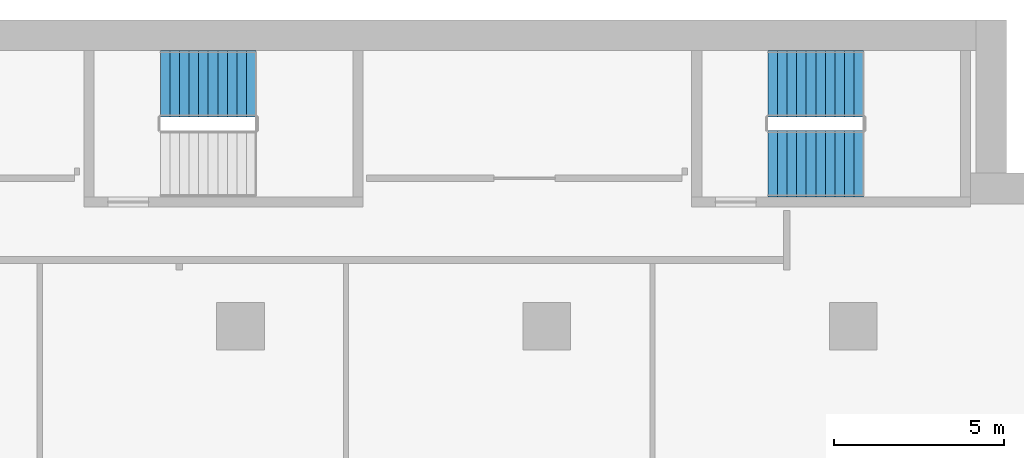
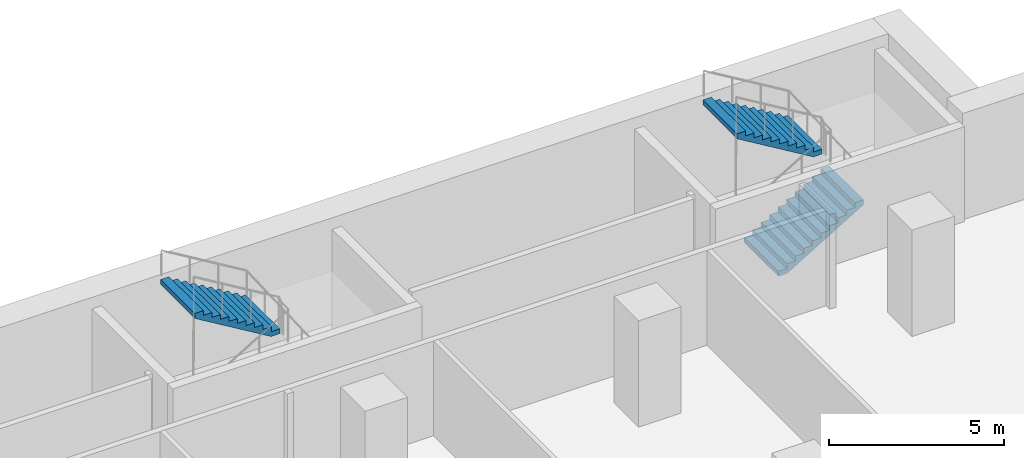
# One storey, part 23 of 29: 3 stair flights, 2 elements without a shape of their own.
"""IFC4 building model written with IfcOpenShell, lengths in metres."""

import ifcopenshell
import ifcopenshell.guid

model = None  # the IFC model being written
_history = None  # IfcOwnerHistory: only IFC2X3 demands one
_inside = {}  # id of a spatial element -> (the spatial element, [elements in it])
_under = {}  # id of a project, library or spatial element -> (it, [spatial elements below it])
_declared = {}  # id of a project -> (the project, [libraries it declares])
_typed = {}  # id of a type object -> (the type object, [elements of that type])
_made_of = {}  # id of a material, layer set ... -> (it, [elements and type objects made of it])


def new_model(schema):
    """Start an empty IFC model of exactly this schema.

    Asked for "IFC4X3", IfcOpenShell would pick the latest addendum, in which some entities
    have other attributes; the version numbers below select the first issue.
    IFC2X3 requires an IfcOwnerHistory on every rooted entity: one is made here for all.
    """
    global model, _history
    if schema == "IFC4X3":
        model = ifcopenshell.file(schema_version=(4, 3, 0, 0))
    else:
        model = ifcopenshell.file(schema=schema)
    _inside.clear()
    _under.clear()
    _declared.clear()
    _typed.clear()
    _made_of.clear()
    _history = None
    if model.schema == "IFC2X3":
        org = make("IfcOrganization", Name="unknown")
        user = make(
            "IfcPersonAndOrganization",
            ThePerson=make("IfcPerson", FamilyName="unknown"),
            TheOrganization=org,
        )
        app = make(
            "IfcApplication",
            ApplicationDeveloper=org,
            Version="unknown",
            ApplicationFullName="unknown",
            ApplicationIdentifier="unknown",
        )
        _history = make(
            "IfcOwnerHistory",
            OwningUser=user,
            OwningApplication=app,
            ChangeAction="ADDED",
            CreationDate=0,
        )
    return model


def make(cls, **values):
    """One entity of the class cls with the attributes given. An attribute that is None is left unset."""
    return model.create_entity(
        cls, **{name: value for name, value in values.items() if value is not None}
    )


def rooted(cls, **values):
    """An entity with a GlobalId (a new one), such as an element, a storey or a relation."""
    return make(cls, GlobalId=ifcopenshell.guid.new(), OwnerHistory=_history, **values)


def si_unit(unit_type, name, prefix=None):
    """IfcSIUnit, for example si_unit("LENGTHUNIT", "METRE", prefix="MILLI")."""
    return make("IfcSIUnit", UnitType=unit_type, Prefix=prefix, Name=name)


def assignment(units):
    """IfcUnitAssignment: the units of a project."""
    return None if units is None else make("IfcUnitAssignment", Units=units)


def point(xyz):
    """IfcCartesianPoint."""
    return None if xyz is None else make("IfcCartesianPoint", Coordinates=xyz)


def direction(xyz):
    """IfcDirection."""
    return None if xyz is None else make("IfcDirection", DirectionRatios=xyz)


def frame(location, z_axis=None, x_axis=None):
    """IfcAxis2Placement3D, a coordinate frame: its origin and axes. An axis left out is left unset."""
    return make(
        "IfcAxis2Placement3D",
        Location=point(location),
        Axis=direction(z_axis),
        RefDirection=direction(x_axis),
    )


def origin():
    """The frame at (0, 0, 0) with its axes left unset."""
    return frame((0.0, 0.0, 0.0))


def place(relative_to, where):
    """IfcLocalPlacement: puts the frame where relative to a parent placement (None: the world)."""
    return make(
        "IfcLocalPlacement", PlacementRelTo=relative_to, RelativePlacement=where
    )


def context(
    kind, dimensions, precision=None, world=None, true_north=None, identifier=None
):
    """IfcGeometricRepresentationContext, for example the 3D "Model" context."""
    return make(
        "IfcGeometricRepresentationContext",
        ContextIdentifier=identifier,
        ContextType=kind,
        CoordinateSpaceDimension=dimensions,
        Precision=precision,
        WorldCoordinateSystem=world,
        TrueNorth=true_north,
    )


def subcontext(parent, identifier, kind, view, scale=None):
    """IfcGeometricRepresentationSubContext, for example "Body" below "Model"."""
    return make(
        "IfcGeometricRepresentationSubContext",
        ContextIdentifier=identifier,
        ContextType=kind,
        ParentContext=parent,
        TargetScale=scale,
        TargetView=view,
    )


def project(units=None, contexts=None):
    """IfcProject with its units and contexts."""
    return rooted(
        "IfcProject",
        Name="project",
        RepresentationContexts=contexts,
        UnitsInContext=assignment(units),
    )


def spatial(cls, under=None, at=None, **own):
    """A site, building, storey or space (cls), placed at a placement, below another one or the project."""
    s = rooted(cls, ObjectPlacement=at, **own)
    if under is not None:
        _under.setdefault(under.id(), (under, []))[1].append(s)
    return s


def polyline(points):
    """IfcPolyline through the points."""
    return make("IfcPolyline", Points=[point(p) for p in points])


def outline(outer, holes=None, kind="AREA"):
    """IfcArbitraryClosedProfileDef: a profile drawn as a closed curve; with holes, ...WithVoids."""
    if holes is None:
        return make("IfcArbitraryClosedProfileDef", ProfileType=kind, OuterCurve=outer)
    return make(
        "IfcArbitraryProfileDefWithVoids",
        ProfileType=kind,
        OuterCurve=outer,
        InnerCurves=holes,
    )


def extrude(swept, where, along, depth):
    """IfcExtrudedAreaSolid: the profile swept, set in the frame where, extruded along a direction by depth."""
    return make(
        "IfcExtrudedAreaSolid",
        SweptArea=swept,
        Position=where,
        ExtrudedDirection=direction(along),
        Depth=depth,
    )


def shape(context_of_items, identifier, shape_type, items):
    """IfcShapeRepresentation: the items that make up one representation, for example the "Body"."""
    return make(
        "IfcShapeRepresentation",
        ContextOfItems=context_of_items,
        RepresentationIdentifier=identifier,
        RepresentationType=shape_type,
        Items=items,
    )


def material(Name=None, Category=None):
    """IfcMaterial."""
    return make("IfcMaterial", Name=Name, Category=Category)


def made_of(thing, what):
    """Note that an element or type object is made of a material, layer set ...; save() writes the relation."""
    if what is not None:
        _made_of.setdefault(what.id(), (what, []))[1].append(thing)
    return thing


def type_object(cls, material=None, **own):
    """A type object (cls), such as IfcWallType, which elements share."""
    return made_of(rooted(cls, **own), material)


def element(
    cls,
    number,
    at=None,
    inside=None,
    cuts=None,
    type_object=None,
    material=None,
    context=None,
    identifier="Body",
    shape_type=None,
    held_by="IfcProductDefinitionShape",
    body=None,
    shapes=None,
    **own,
):
    """One element of the class cls, such as IfcWall. Its Tag is "e" and its number.

    at: its placement. inside: the storey or other place that contains it. cuts: it is an
    opening in that element (IfcRelVoidsElement). A single representation is given by context,
    identifier, shape_type and body (its items); several are given by shapes. held_by: the class
    of the entity that holds the representations. save() writes the other relations.
    """
    e = rooted(cls, Tag="e%d" % number, ObjectPlacement=at, **own)
    if body is not None:
        shapes = [shape(context, identifier, shape_type, body)]
    if shapes is not None:
        e.Representation = make(held_by, Representations=shapes)
    if inside is not None:
        _inside.setdefault(inside.id(), (inside, []))[1].append(e)
    if cuts is not None:
        rooted(
            "IfcRelVoidsElement", RelatingBuildingElement=cuts, RelatedOpeningElement=e
        )
    if type_object is not None:
        _typed.setdefault(type_object.id(), (type_object, []))[1].append(e)
    return made_of(e, material)


def aggregate(whole, parts):
    """IfcRelAggregates: a whole, such as a stair, and the parts it consists of."""
    return rooted("IfcRelAggregates", RelatingObject=whole, RelatedObjects=parts)


def save(model, path):
    """Write the relations noted so far, then the file.

    IfcRelAggregates (storeys below a building ...), IfcRelContainedInSpatialStructure (elements
    in a storey), IfcRelDefinesByType, IfcRelAssociatesMaterial and IfcRelDeclares: one each for
    every whole, place, type object, material and project.
    """
    for whole, parts in _under.values():
        aggregate(whole, parts)
    for where, things in _inside.values():
        rooted(
            "IfcRelContainedInSpatialStructure",
            RelatedElements=things,
            RelatingStructure=where,
        )
    for kind, things in _typed.values():
        rooted("IfcRelDefinesByType", RelatedObjects=things, RelatingType=kind)
    for what, things in _made_of.values():
        rooted("IfcRelAssociatesMaterial", RelatedObjects=things, RelatingMaterial=what)
    for by, libraries in _declared.values():
        rooted("IfcRelDeclares", RelatingContext=by, RelatedDefinitions=libraries)
    model.write(path)


model = new_model("IFC4")

# Units and contexts
model_context = context("Model", 3, precision=1e-05, world=origin(), true_north=direction((0.0, 1.0)))
body_context = subcontext(model_context, "Body", "Model", "MODEL_VIEW")
ifc_project = project(units=[si_unit("LENGTHUNIT", "METRE"), si_unit("AREAUNIT", "SQUARE_METRE"), si_unit("VOLUMEUNIT", "CUBIC_METRE"), si_unit("PLANEANGLEUNIT", "RADIAN"), si_unit("MASSUNIT", "GRAM", prefix="KILO")], contexts=[model_context])

# Site, building, storey
site_placement = place(None, origin())
site = spatial("IfcSite", under=ifc_project, at=site_placement, CompositionType="ELEMENT")
building_placement = place(site_placement, origin())
building = spatial("IfcBuilding", under=site, at=building_placement, Name="Hunhe Ridgeline Campus", CompositionType="ELEMENT")
storey_placement = place(building_placement, frame((0.0, 0.0, 50.60009765625)))
storey = spatial("IfcBuildingStorey", under=building, at=storey_placement, Name="L11", CompositionType="ELEMENT", Elevation=50.60009765625)

# Stair, stair flight
ifc_material = material(Name="Concrete C40", Category="concrete")
stair_type = type_object("IfcStairType", Name="Reinforced concrete dog-leg stair 1950 Concrete C40", PredefinedType="HALF_TURN_STAIR", material=ifc_material)
stair_1_placement = place(storey_placement, origin())
stair_1 = element("IfcStair", 1, at=stair_1_placement, inside=storey, type_object=stair_type, Name="L11 E3", PredefinedType="HALF_TURN_STAIR")
stair_flight_type = type_object("IfcStairFlightType", Name="Reinforced concrete stair flight 1950 Concrete C40", PredefinedType="STRAIGHT", material=ifc_material)
stair_flight_1_placement = place(storey_placement, frame((72.449951171875, 97.125, 1.849853515625), z_axis=(0.0, 0.0, 1.0), x_axis=(-1.0, 0.0, 0.0)))
stair_flight_1 = element("IfcStairFlight", 2, at=stair_flight_1_placement, type_object=stair_flight_type, Name="ST7 flight 2", NumberOfRisers=11, NumberOfTreads=10, PredefinedType="STRAIGHT", RiserHeight=0.168181818, TreadLength=0.28, context=body_context, shape_type="SweptSolid", body=[
    extrude(outline(polyline([(0.0, 0.0), (0.0, 0.168212890625), (0.280029296875, 0.168212890625), (0.280029296875, 0.33642578125), (0.56005859375, 0.33642578125), (0.56005859375, 0.504638671875), (0.840087890625, 0.504638671875), (0.840087890625, 0.672607421875), (1.1201171875, 0.672607421875), (1.1201171875, 0.8408203125), (1.39990234375, 0.8408203125), (1.39990234375, 1.009033203125), (1.679931640625, 1.009033203125), (1.679931640625, 1.17724609375), (1.9599609375, 1.17724609375), (1.9599609375, 1.345458984375), (2.239990234375, 1.345458984375), (2.239990234375, 1.513671875), (2.52001953125, 1.513671875), (2.52001953125, 1.681884765625), (2.800048828125, 1.681884765625), (2.800048828125, 1.85009765625), (2.800048828125, 1.5068359375), (0.291015625, 0.0), (0.0, 0.0)])), frame((0.0, 0.97509765625, 0.0), z_axis=(0.0, -1.0, 0.0), x_axis=(1.0, 0.0, 0.0)), (0.0, 0.0, 1.0), 1.949951171875),
    extrude(outline(polyline([(0.030029296875, 0.030029296875), (0.030029296875, 0.13818359375), (0.31005859375, 0.13818359375), (0.31005859375, 0.306396484375), (0.590087890625, 0.306396484375), (0.590087890625, 0.474609375), (0.8701171875, 0.474609375), (0.8701171875, 0.642578125), (1.14990234375, 0.642578125), (1.14990234375, 0.810791015625), (1.429931640625, 0.810791015625), (1.429931640625, 0.97900390625), (1.7099609375, 0.97900390625), (1.7099609375, 1.147216796875), (1.989990234375, 1.147216796875), (1.989990234375, 1.3154296875), (2.27001953125, 1.3154296875), (2.27001953125, 1.483642578125), (2.550048828125, 1.483642578125), (2.550048828125, 1.65185546875), (2.77001953125, 1.65185546875), (2.77001953125, 1.52392578125), (0.28271484375, 0.030029296875), (0.030029296875, 0.030029296875)])), frame((0.0, -0.070068359375, 0.0), z_axis=(0.0, -1.0, 0.0), x_axis=(1.0, 0.0, 0.0)), (0.0, 0.0, 1.0), 0.019775390625),
    extrude(outline(polyline([(0.030029296875, 0.030029296875), (0.030029296875, 0.13818359375), (0.31005859375, 0.13818359375), (0.31005859375, 0.306396484375), (0.590087890625, 0.306396484375), (0.590087890625, 0.474609375), (0.8701171875, 0.474609375), (0.8701171875, 0.642578125), (1.14990234375, 0.642578125), (1.14990234375, 0.810791015625), (1.429931640625, 0.810791015625), (1.429931640625, 0.97900390625), (1.7099609375, 0.97900390625), (1.7099609375, 1.147216796875), (1.989990234375, 1.147216796875), (1.989990234375, 1.3154296875), (2.27001953125, 1.3154296875), (2.27001953125, 1.483642578125), (2.550048828125, 1.483642578125), (2.550048828125, 1.65185546875), (2.77001953125, 1.65185546875), (2.77001953125, 1.52392578125), (0.28271484375, 0.030029296875), (0.030029296875, 0.030029296875)])), frame((0.0, 0.010009765625, 0.0), z_axis=(0.0, -1.0, 0.0), x_axis=(1.0, 0.0, 0.0)), (0.0, 0.0, 1.0), 0.019775390625),
    extrude(outline(polyline([(0.030029296875, 0.030029296875), (0.030029296875, 0.13818359375), (0.31005859375, 0.13818359375), (0.31005859375, 0.306396484375), (0.590087890625, 0.306396484375), (0.590087890625, 0.474609375), (0.8701171875, 0.474609375), (0.8701171875, 0.642578125), (1.14990234375, 0.642578125), (1.14990234375, 0.810791015625), (1.429931640625, 0.810791015625), (1.429931640625, 0.97900390625), (1.7099609375, 0.97900390625), (1.7099609375, 1.147216796875), (1.989990234375, 1.147216796875), (1.989990234375, 1.3154296875), (2.27001953125, 1.3154296875), (2.27001953125, 1.483642578125), (2.550048828125, 1.483642578125), (2.550048828125, 1.65185546875), (2.77001953125, 1.65185546875), (2.77001953125, 1.52392578125), (0.28271484375, 0.030029296875), (0.030029296875, 0.030029296875)])), frame((0.0, 0.090087890625, 0.0), z_axis=(0.0, -1.0, 0.0), x_axis=(1.0, 0.0, 0.0)), (0.0, 0.0, 1.0), 0.019775390625),
])
aggregate(stair_1, [stair_flight_1])

# Stair, stair flights
stair_2_placement = place(storey_placement, origin())
stair_2 = element("IfcStair", 3, at=stair_2_placement, inside=storey, type_object=stair_type, Name="L11 E4", PredefinedType="HALF_TURN_STAIR")
stair_flight_2_placement = place(storey_placement, frame((87.5, 94.77490234375, 0.0), z_axis=(0.0, 0.0, 1.0), x_axis=(1.0, 0.0, 0.0)))
stair_flight_2 = element("IfcStairFlight", 4, at=stair_flight_2_placement, type_object=stair_flight_type, Name="ST8 flight 1", NumberOfRisers=11, NumberOfTreads=10, PredefinedType="STRAIGHT", RiserHeight=0.168181818, TreadLength=0.28, context=body_context, shape_type="SweptSolid", body=[
    extrude(outline(polyline([(0.0, 0.0), (0.0, 0.168212890625), (0.280029296875, 0.168212890625), (0.280029296875, 0.33642578125), (0.56005859375, 0.33642578125), (0.56005859375, 0.504638671875), (0.840087890625, 0.504638671875), (0.840087890625, 0.672607421875), (1.1201171875, 0.672607421875), (1.1201171875, 0.8408203125), (1.39990234375, 0.8408203125), (1.39990234375, 1.009033203125), (1.679931640625, 1.009033203125), (1.679931640625, 1.17724609375), (1.9599609375, 1.17724609375), (1.9599609375, 1.345458984375), (2.239990234375, 1.345458984375), (2.239990234375, 1.513671875), (2.52001953125, 1.513671875), (2.52001953125, 1.681884765625), (2.800048828125, 1.681884765625), (2.800048828125, 1.85009765625), (2.800048828125, 1.5068359375), (0.291015625, 0.0), (0.0, 0.0)])), frame((0.0, 0.97509765625, 0.0), z_axis=(0.0, -1.0, 0.0), x_axis=(1.0, 0.0, 0.0)), (0.0, 0.0, 1.0), 1.949951171875),
    extrude(outline(polyline([(0.030029296875, 0.030029296875), (0.030029296875, 0.13818359375), (0.31005859375, 0.13818359375), (0.31005859375, 0.306396484375), (0.590087890625, 0.306396484375), (0.590087890625, 0.474609375), (0.8701171875, 0.474609375), (0.8701171875, 0.642578125), (1.14990234375, 0.642578125), (1.14990234375, 0.810791015625), (1.429931640625, 0.810791015625), (1.429931640625, 0.97900390625), (1.7099609375, 0.97900390625), (1.7099609375, 1.147216796875), (1.989990234375, 1.147216796875), (1.989990234375, 1.3154296875), (2.27001953125, 1.3154296875), (2.27001953125, 1.483642578125), (2.550048828125, 1.483642578125), (2.550048828125, 1.65185546875), (2.77001953125, 1.65185546875), (2.77001953125, 1.52392578125), (0.28271484375, 0.030029296875), (0.030029296875, 0.030029296875)])), frame((0.0, -0.070068359375, 0.0), z_axis=(0.0, -1.0, 0.0), x_axis=(1.0, 0.0, 0.0)), (0.0, 0.0, 1.0), 0.019775390625),
    extrude(outline(polyline([(0.030029296875, 0.030029296875), (0.030029296875, 0.13818359375), (0.31005859375, 0.13818359375), (0.31005859375, 0.306396484375), (0.590087890625, 0.306396484375), (0.590087890625, 0.474609375), (0.8701171875, 0.474609375), (0.8701171875, 0.642578125), (1.14990234375, 0.642578125), (1.14990234375, 0.810791015625), (1.429931640625, 0.810791015625), (1.429931640625, 0.97900390625), (1.7099609375, 0.97900390625), (1.7099609375, 1.147216796875), (1.989990234375, 1.147216796875), (1.989990234375, 1.3154296875), (2.27001953125, 1.3154296875), (2.27001953125, 1.483642578125), (2.550048828125, 1.483642578125), (2.550048828125, 1.65185546875), (2.77001953125, 1.65185546875), (2.77001953125, 1.52392578125), (0.28271484375, 0.030029296875), (0.030029296875, 0.030029296875)])), frame((0.0, 0.010009765625, 0.0), z_axis=(0.0, -1.0, 0.0), x_axis=(1.0, 0.0, 0.0)), (0.0, 0.0, 1.0), 0.019775390625),
    extrude(outline(polyline([(0.030029296875, 0.030029296875), (0.030029296875, 0.13818359375), (0.31005859375, 0.13818359375), (0.31005859375, 0.306396484375), (0.590087890625, 0.306396484375), (0.590087890625, 0.474609375), (0.8701171875, 0.474609375), (0.8701171875, 0.642578125), (1.14990234375, 0.642578125), (1.14990234375, 0.810791015625), (1.429931640625, 0.810791015625), (1.429931640625, 0.97900390625), (1.7099609375, 0.97900390625), (1.7099609375, 1.147216796875), (1.989990234375, 1.147216796875), (1.989990234375, 1.3154296875), (2.27001953125, 1.3154296875), (2.27001953125, 1.483642578125), (2.550048828125, 1.483642578125), (2.550048828125, 1.65185546875), (2.77001953125, 1.65185546875), (2.77001953125, 1.52392578125), (0.28271484375, 0.030029296875), (0.030029296875, 0.030029296875)])), frame((0.0, 0.090087890625, 0.0), z_axis=(0.0, -1.0, 0.0), x_axis=(1.0, 0.0, 0.0)), (0.0, 0.0, 1.0), 0.019775390625),
])
stair_flight_3_placement = place(storey_placement, frame((90.300048828125, 97.125, 1.849853515625), z_axis=(0.0, 0.0, 1.0), x_axis=(-1.0, 0.0, 0.0)))
stair_flight_3 = element("IfcStairFlight", 5, at=stair_flight_3_placement, type_object=stair_flight_type, Name="ST8 flight 2", NumberOfRisers=11, NumberOfTreads=10, PredefinedType="STRAIGHT", RiserHeight=0.168181818, TreadLength=0.28, context=body_context, shape_type="SweptSolid", body=[
    extrude(outline(polyline([(0.0, 0.0), (0.0, 0.168212890625), (0.280029296875, 0.168212890625), (0.280029296875, 0.33642578125), (0.56005859375, 0.33642578125), (0.56005859375, 0.504638671875), (0.840087890625, 0.504638671875), (0.840087890625, 0.672607421875), (1.1201171875, 0.672607421875), (1.1201171875, 0.8408203125), (1.39990234375, 0.8408203125), (1.39990234375, 1.009033203125), (1.679931640625, 1.009033203125), (1.679931640625, 1.17724609375), (1.9599609375, 1.17724609375), (1.9599609375, 1.345458984375), (2.239990234375, 1.345458984375), (2.239990234375, 1.513671875), (2.52001953125, 1.513671875), (2.52001953125, 1.681884765625), (2.800048828125, 1.681884765625), (2.800048828125, 1.85009765625), (2.800048828125, 1.5068359375), (0.291015625, 0.0), (0.0, 0.0)])), frame((0.0, 0.97509765625, 0.0), z_axis=(0.0, -1.0, 0.0), x_axis=(1.0, 0.0, 0.0)), (0.0, 0.0, 1.0), 1.949951171875),
    extrude(outline(polyline([(0.030029296875, 0.030029296875), (0.030029296875, 0.13818359375), (0.31005859375, 0.13818359375), (0.31005859375, 0.306396484375), (0.590087890625, 0.306396484375), (0.590087890625, 0.474609375), (0.8701171875, 0.474609375), (0.8701171875, 0.642578125), (1.14990234375, 0.642578125), (1.14990234375, 0.810791015625), (1.429931640625, 0.810791015625), (1.429931640625, 0.97900390625), (1.7099609375, 0.97900390625), (1.7099609375, 1.147216796875), (1.989990234375, 1.147216796875), (1.989990234375, 1.3154296875), (2.27001953125, 1.3154296875), (2.27001953125, 1.483642578125), (2.550048828125, 1.483642578125), (2.550048828125, 1.65185546875), (2.77001953125, 1.65185546875), (2.77001953125, 1.52392578125), (0.28271484375, 0.030029296875), (0.030029296875, 0.030029296875)])), frame((0.0, -0.070068359375, 0.0), z_axis=(0.0, -1.0, 0.0), x_axis=(1.0, 0.0, 0.0)), (0.0, 0.0, 1.0), 0.019775390625),
    extrude(outline(polyline([(0.030029296875, 0.030029296875), (0.030029296875, 0.13818359375), (0.31005859375, 0.13818359375), (0.31005859375, 0.306396484375), (0.590087890625, 0.306396484375), (0.590087890625, 0.474609375), (0.8701171875, 0.474609375), (0.8701171875, 0.642578125), (1.14990234375, 0.642578125), (1.14990234375, 0.810791015625), (1.429931640625, 0.810791015625), (1.429931640625, 0.97900390625), (1.7099609375, 0.97900390625), (1.7099609375, 1.147216796875), (1.989990234375, 1.147216796875), (1.989990234375, 1.3154296875), (2.27001953125, 1.3154296875), (2.27001953125, 1.483642578125), (2.550048828125, 1.483642578125), (2.550048828125, 1.65185546875), (2.77001953125, 1.65185546875), (2.77001953125, 1.52392578125), (0.28271484375, 0.030029296875), (0.030029296875, 0.030029296875)])), frame((0.0, 0.010009765625, 0.0), z_axis=(0.0, -1.0, 0.0), x_axis=(1.0, 0.0, 0.0)), (0.0, 0.0, 1.0), 0.019775390625),
    extrude(outline(polyline([(0.030029296875, 0.030029296875), (0.030029296875, 0.13818359375), (0.31005859375, 0.13818359375), (0.31005859375, 0.306396484375), (0.590087890625, 0.306396484375), (0.590087890625, 0.474609375), (0.8701171875, 0.474609375), (0.8701171875, 0.642578125), (1.14990234375, 0.642578125), (1.14990234375, 0.810791015625), (1.429931640625, 0.810791015625), (1.429931640625, 0.97900390625), (1.7099609375, 0.97900390625), (1.7099609375, 1.147216796875), (1.989990234375, 1.147216796875), (1.989990234375, 1.3154296875), (2.27001953125, 1.3154296875), (2.27001953125, 1.483642578125), (2.550048828125, 1.483642578125), (2.550048828125, 1.65185546875), (2.77001953125, 1.65185546875), (2.77001953125, 1.52392578125), (0.28271484375, 0.030029296875), (0.030029296875, 0.030029296875)])), frame((0.0, 0.090087890625, 0.0), z_axis=(0.0, -1.0, 0.0), x_axis=(1.0, 0.0, 0.0)), (0.0, 0.0, 1.0), 0.019775390625),
])
aggregate(stair_2, [stair_flight_2, stair_flight_3])

save(model, "model.ifc")
